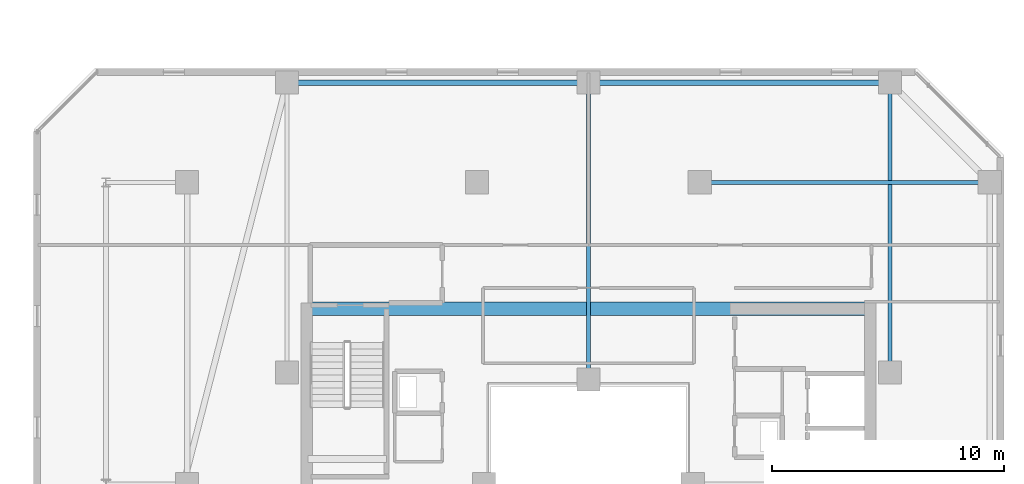
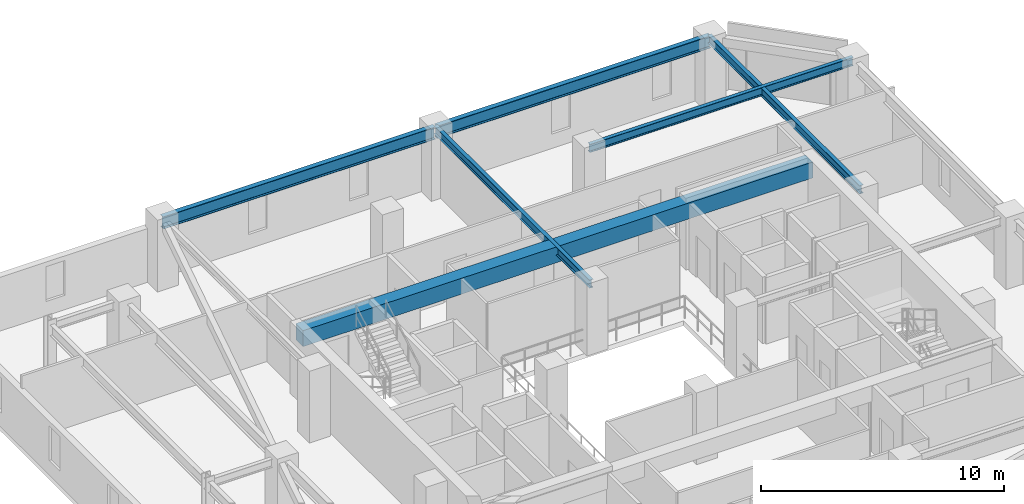
# One storey, part 16 of 33: 6 beams.
"""IFC4 building model written with IfcOpenShell, lengths in metres."""

from ifc_helpers import new_model, si_unit, direction, frame, origin, origin_2d, place, context, subcontext, project, spatial, rectangle, i_section, extrude, material, material_profile, profile_set, type_object, element, save


model = new_model("IFC4")

# Units and contexts
model_context = context("Model", 3, precision=1e-05, world=origin(), true_north=direction((0.0, 1.0)))
body_context = subcontext(model_context, "Body", "Model", "MODEL_VIEW")
ifc_project = project(units=[si_unit("LENGTHUNIT", "METRE"), si_unit("AREAUNIT", "SQUARE_METRE"), si_unit("VOLUMEUNIT", "CUBIC_METRE"), si_unit("PLANEANGLEUNIT", "RADIAN"), si_unit("MASSUNIT", "GRAM", prefix="KILO")], contexts=[model_context])

# Site, building, storey
site_placement = place(None, origin())
site = spatial("IfcSite", under=ifc_project, at=site_placement, CompositionType="ELEMENT")
building_placement = place(site_placement, origin())
building = spatial("IfcBuilding", under=site, at=building_placement, Name="Thornwick Lancets Civic Towers", CompositionType="ELEMENT")
storey_placement = place(building_placement, frame((0.0, 0.0, 207.300048828125)))
storey = spatial("IfcBuildingStorey", under=building, at=storey_placement, Name="L55", CompositionType="ELEMENT", Elevation=207.300048828125)

# Beams
ifc_material_1 = material(Name="Concrete C60/75", Category="concrete")
ifc_material_profile_1 = material_profile(ifc_material_1, rectangle(XDim=0.60009765625, YDim=0.800048828125, at=origin_2d()), Name="RC 600x800")
ifc_profile_set_1 = profile_set([ifc_material_profile_1], Name="Concrete C60/75")
beam_type_1 = type_object("IfcBeamType", Name="BM_COUP_RC800", PredefinedType="BEAM", material=ifc_profile_set_1)
beam_1_placement = place(storey_placement, frame((76.39990234375, 34.550048828125, 2.9599609375), z_axis=(1.0, 0.0, 0.0), x_axis=(0.0, 1.0, 0.0)))
element("IfcBeam", 1, at=beam_1_placement, inside=storey, type_object=beam_type_1, Name="CB-L55-B1", PredefinedType="BEAM", context=body_context, shape_type="SweptSolid", body=[
    extrude(rectangle(XDim=0.60009765625, YDim=0.800048828125, at=origin_2d()), origin(), (0.0, 0.0, 1.0), 24.2001953125),
])
ifc_material_2 = material(Name="Steel S355JR", Category="steel")
ifc_material_profile_2 = material_profile(ifc_material_2, i_section(OverallWidth=0.230224609375, OverallDepth=0.6171875, WebThickness=0.01318359375, FlangeThickness=0.022216796875, FilletRadius=0.0126953125, at=origin_2d()), Name="UKB 610x229x140")
ifc_profile_set_2 = profile_set([ifc_material_profile_2], Name="Steel S355JR")
beam_type_2 = type_object("IfcBeamType", Name="BM_GIRD_610_140", PredefinedType="BEAM", material=ifc_profile_set_2)
beam_2_placement = place(storey_placement, frame((101.5, 44.300048828125, 3.05126953125), z_axis=(-1.0, 0.0, 0.0), x_axis=(0.0, -1.0, 0.0)))
element("IfcBeam", 2, at=beam_2_placement, inside=storey, type_object=beam_type_2, Name="BM-SPINE-L55-B-3-4", PredefinedType="BEAM", context=body_context, shape_type="SweptSolid", body=[
    extrude(i_section(OverallWidth=0.230224609375, OverallDepth=0.6171875, WebThickness=0.01318359375, FlangeThickness=0.022216796875, FilletRadius=0.0126953125, at=origin_2d()), origin(), (0.0, 0.0, 1.0), 13.0),
])
beam_3_placement = place(storey_placement, frame((88.419921875, 44.300048828125, 3.05126953125), z_axis=(-1.0, 0.0, 0.0), x_axis=(0.0, -1.0, 0.0)))
element("IfcBeam", 3, at=beam_3_placement, inside=storey, type_object=beam_type_2, Name="BM-SPINE-L55-B-4-5", PredefinedType="BEAM", context=body_context, shape_type="SweptSolid", body=[
    extrude(i_section(OverallWidth=0.230224609375, OverallDepth=0.6171875, WebThickness=0.01318359375, FlangeThickness=0.022216796875, FilletRadius=0.0126953125, at=origin_2d()), origin(), (0.0, 0.0, 1.0), 12.919921875),
])
ifc_material_profile_3 = material_profile(ifc_material_2, i_section(OverallWidth=0.179443359375, OverallDepth=0.412841796875, WebThickness=0.009521484375, FlangeThickness=0.01611328125, FilletRadius=0.01025390625, at=origin_2d()), Name="UKB 406x178x74")
ifc_profile_set_3 = profile_set([ifc_material_profile_3], Name="Steel S355JR")
beam_type_3 = type_object("IfcBeamType", Name="BM_JOIST_406_74", PredefinedType="JOIST", material=ifc_profile_set_3)
for number, where, z_axis, x_axis, name in (
    (4, (93.300048828125, 40.0, 3.153564453125), (1.0, 0.0, 0.0), (0.0, 1.0, 0.0), "BM-RADIN-L55-B03"),
    (5, (101.5, 31.800048828125, 3.153564453125), (0.0, 1.0, 0.0), (-1.0, 0.0, 0.0), "BM-RADIN-L55-B04"),
):
    element("IfcBeam", number, at=place(storey_placement, frame(where, z_axis=z_axis, x_axis=x_axis)), inside=storey, type_object=beam_type_3, Name=name, PredefinedType="JOIST", context=body_context, shape_type="SweptSolid", body=[
        extrude(i_section(OverallWidth=0.179443359375, OverallDepth=0.412841796875, WebThickness=0.009521484375, FlangeThickness=0.01611328125, FilletRadius=0.01025390625, at=origin_2d()), origin(), (0.0, 0.0, 1.0), 12.5),
    ])
beam_4_placement = place(storey_placement, frame((88.5, 31.5, 3.153564453125), z_axis=(0.0, 1.0, 0.0), x_axis=(-1.0, 0.0, 0.0)))
element("IfcBeam", 6, at=beam_4_placement, inside=storey, type_object=beam_type_3, Name="BM-RADIN-L55-B05", PredefinedType="JOIST", context=body_context, shape_type="SweptSolid", body=[
    extrude(i_section(OverallWidth=0.179443359375, OverallDepth=0.412841796875, WebThickness=0.009521484375, FlangeThickness=0.01611328125, FilletRadius=0.01025390625, at=origin_2d()), origin(), (0.0, 0.0, 1.0), 12.800048828125),
])

save(model, "model.ifc")
